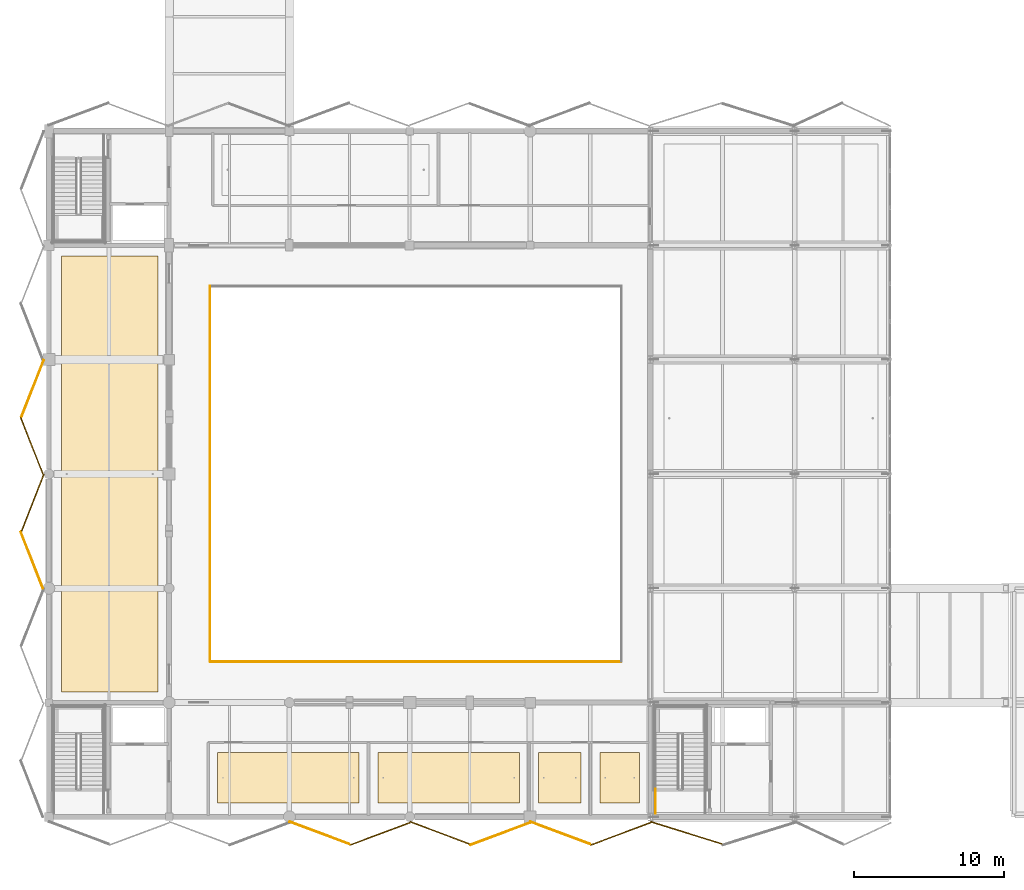
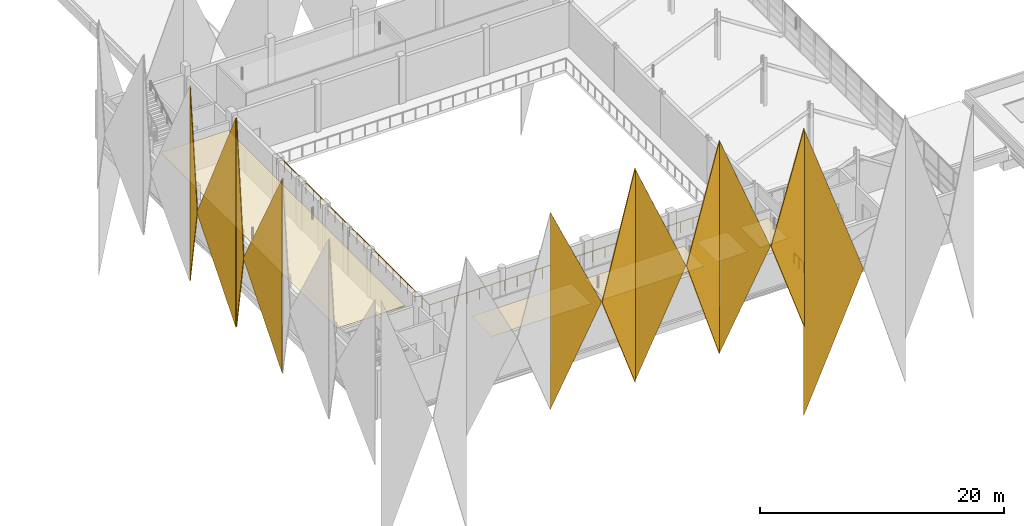
# One storey, part 98 of 107: 16 coverings, 3 railings.
"""IFC4 building model written with IfcOpenShell, lengths in metres."""

from ifc_helpers import new_model, si_unit, direction, frame, origin, origin_2d, place, context, subcontext, project, spatial, polyline, circle, outline, extrude, material, layer, layer_set, type_object, element, save


model = new_model("IFC4")

# Units and contexts
model_context = context("Model", 3, precision=1e-05, world=origin(), true_north=direction((0.0, 1.0)))
body_context = subcontext(model_context, "Body", "Model", "MODEL_VIEW")
ifc_project = project(units=[si_unit("LENGTHUNIT", "METRE"), si_unit("AREAUNIT", "SQUARE_METRE"), si_unit("VOLUMEUNIT", "CUBIC_METRE"), si_unit("PLANEANGLEUNIT", "RADIAN"), si_unit("MASSUNIT", "GRAM", prefix="KILO")], contexts=[model_context])

# Site, building, storey
site_placement = place(None, origin())
site = spatial("IfcSite", under=ifc_project, at=site_placement, CompositionType="ELEMENT")
building_placement = place(site_placement, origin())
building = spatial("IfcBuilding", under=site, at=building_placement, Name="Khelvaren Railside Concert Hall", CompositionType="ELEMENT")
storey_placement = place(building_placement, frame((0.0, 0.0, 15.0)))
storey = spatial("IfcBuildingStorey", under=building, at=storey_placement, Name="L03", CompositionType="ELEMENT", Elevation=15.0)

# Coverings
ifc_material_1 = material(Name="Precast architectural concrete C45/55", Category="concrete")
ifc_layer_1 = layer(ifc_material_1, 0.06005859375)
ifc_layer_set_1 = layer_set([ifc_layer_1], Name="Precast architectural concrete C45/55")
covering_type_1 = type_object("IfcCoveringType", Name="CLD31", PredefinedType="CLADDING", material=ifc_layer_set_1)
covering_1_placement = place(storey_placement, frame((16.0, -0.35498046875, 15.025634765625), z_axis=(-0.35012077399, -0.936704565816, 0.0), x_axis=(0.0, 0.0, -1.0)))
element("IfcCovering", 1, at=covering_1_placement, inside=storey, type_object=covering_type_1, Name="Main Hall Cut-Crystal Flank Facet S-3W", PredefinedType="CLADDING", context=body_context, shape_type="SweptSolid", body=[
    extrude(outline(polyline([(0.0, 0.0), (19.82568359375, 0.0), (9.516357421875, 4.27028985015747), (0.0, 0.0)])), origin(), (0.0, 0.0, -1.0), 0.06005859375),
])
covering_2_placement = place(storey_placement, frame((32.0, -0.35498046875, 16.638427734375), z_axis=(-0.35012077399, 0.936704565816, 0.0), x_axis=(0.0, 0.0, -1.0)))
element("IfcCovering", 2, at=covering_2_placement, inside=storey, type_object=covering_type_1, Name="Main Hall Cut-Crystal Flank Facet S-4E", PredefinedType="CLADDING", context=body_context, shape_type="SweptSolid", body=[
    extrude(outline(polyline([(0.0, 0.0), (21.4384765625, 0.0), (10.29052734375, 4.270289850157471), (0.0, 0.0)])), origin(), (0.0, 0.0, -1.0), 0.06005859375),
])
covering_3_placement = place(storey_placement, frame((32.0, -0.35498046875, 16.638427734375), z_axis=(-0.35012077399, -0.936704565816, 0.0), x_axis=(0.0, 0.0, -1.0)))
element("IfcCovering", 3, at=covering_3_placement, inside=storey, type_object=covering_type_1, Name="Main Hall Cut-Crystal Flank Facet S-5W", PredefinedType="CLADDING", context=body_context, shape_type="SweptSolid", body=[
    extrude(outline(polyline([(0.0, 0.0), (21.4384765625, 0.0), (11.129150390625, 4.270289850157471), (0.0, 0.0)])), origin(), (0.0, 0.0, -1.0), 0.06005859375),
])
covering_4_placement = place(storey_placement, frame((-0.35498046875, 15.199951171875, 14.707763671875), z_axis=(0.930564616009, 0.366127703722, 0.0), x_axis=(0.0, 0.0, -1.0)))
element("IfcCovering", 4, at=covering_4_placement, inside=storey, type_object=covering_type_1, Name="Main Hall Cut-Crystal West Flank Facet 3S", PredefinedType="CLADDING", context=body_context, shape_type="SweptSolid", body=[
    extrude(outline(polyline([(0.0, 0.0), (19.5078125, 0.0), (9.75390625, 4.083594801212786), (0.0, 0.0)])), origin(), (0.0, 0.0, -1.0), 0.06005859375),
])
covering_5_placement = place(storey_placement, frame((-0.35498046875, 30.39990234375, 14.707763671875), z_axis=(-0.930556601095, 0.366148074088, 0.0), x_axis=(0.0, 0.0, -1.0)))
element("IfcCovering", 5, at=covering_5_placement, inside=storey, type_object=covering_type_1, Name="Main Hall Cut-Crystal West Flank Facet 4N", PredefinedType="CLADDING", context=body_context, shape_type="SweptSolid", body=[
    extrude(outline(polyline([(0.0, 0.0), (19.5078125, 0.0), (9.75390625, 4.083367613564187), (0.0, 0.0)])), origin(), (0.0, 0.0, -1.0), 0.06005859375),
])
ifc_material_2 = material(Name="Board-marked precast concrete C45/55", Category="concrete")
ifc_layer_2 = layer(ifc_material_2, 0.070068359375)
ifc_layer_set_2 = layer_set([ifc_layer_2], Name="Board-marked precast concrete C45/55")
covering_type_2 = type_object("IfcCoveringType", Name="CLD68", PredefinedType="CLADDING", material=ifc_layer_set_2)
covering_6_placement = place(storey_placement, frame((24.0, -0.35498046875, 16.638427734375), z_axis=(-0.35012077399, 0.936704565816, 0.0), x_axis=(0.0, 0.0, -1.0)))
element("IfcCovering", 6, at=covering_6_placement, inside=storey, type_object=covering_type_2, Name="Main Hall Cut-Crystal Flank Facet S-3E", PredefinedType="CLADDING", context=body_context, shape_type="SweptSolid", body=[
    extrude(outline(polyline([(0.0, 0.0), (21.4384765625, 0.0), (11.129150390625, 4.270289850157471), (0.0, 0.0)])), origin(), (0.0, 0.0, -1.0), 0.070068359375),
])
covering_7_placement = place(storey_placement, frame((24.0, -0.35498046875, 16.638427734375), z_axis=(-0.35012077399, -0.936704565816, 0.0), x_axis=(0.0, 0.0, -1.0)))
element("IfcCovering", 7, at=covering_7_placement, inside=storey, type_object=covering_type_2, Name="Main Hall Cut-Crystal Flank Facet S-4W", PredefinedType="CLADDING", context=body_context, shape_type="SweptSolid", body=[
    extrude(outline(polyline([(0.0, 0.0), (21.4384765625, 0.0), (10.29052734375, 4.270289850157471), (0.0, 0.0)])), origin(), (0.0, 0.0, -1.0), 0.070068359375),
])
covering_8_placement = place(storey_placement, frame((40.0, -0.35498046875, 15.025634765625), z_axis=(-0.35012077399, 0.936704565816, 0.0), x_axis=(0.0, 0.0, -1.0)))
element("IfcCovering", 8, at=covering_8_placement, inside=storey, type_object=covering_type_2, Name="Main Hall Cut-Crystal Flank Facet S-5E", PredefinedType="CLADDING", context=body_context, shape_type="SweptSolid", body=[
    extrude(outline(polyline([(0.0, 0.0), (19.82568359375, 0.0), (9.516357421875, 4.27028985015747), (0.0, 0.0)])), origin(), (0.0, 0.0, -1.0), 0.070068359375),
])
covering_9_placement = place(storey_placement, frame((40.0, -0.35498046875, 15.025634765625), z_axis=(-0.297387287433, -0.954756933085, 0.0), x_axis=(0.0, 0.0, -1.0)))
element("IfcCovering", 9, at=covering_9_placement, inside=storey, type_object=covering_type_2, Name="Main Hall Cut-Crystal Flank Facet S-6W", PredefinedType="CLADDING", context=body_context, shape_type="SweptSolid", body=[
    extrude(outline(polyline([(0.0, 0.0), (28.82568359375, 0.0), (14.8427734375, 5.027508742582364), (0.0, 0.0)])), origin(), (0.0, 0.0, -1.0), 0.070068359375),
])
for number, where, z_axis, x_axis, name in (
    (10, (-0.35498046875, 22.800048828125, 16.16162109375), (-0.930564616009, 0.366127703722, 0.0), (0.0, 0.0, -1.0), "Main Hall Cut-Crystal West Flank Facet 3N"),
    (11, (-0.35498046875, 22.800048828125, 16.16162109375), (0.930564616009, 0.366127703722, 0.0), (0.0, 0.0, -1.0), "Main Hall Cut-Crystal West Flank Facet 4S"),
):
    element("IfcCovering", number, at=place(storey_placement, frame(where, z_axis=z_axis, x_axis=x_axis)), inside=storey, type_object=covering_type_2, Name=name, PredefinedType="CLADDING", context=body_context, shape_type="SweptSolid", body=[
        extrude(outline(polyline([(0.0, 0.0), (20.961669921875, 0.0), (11.207763671875, 4.0835948012127865), (0.0, 0.0)])), origin(), (0.0, 0.0, -1.0), 0.070068359375),
    ])
ifc_material_3 = material(Name="Mineral-wool acoustic baffle ceiling", Category="gypsum")
ifc_layer_3 = layer(ifc_material_3, 0.0400390625)
ifc_layer_set_3 = layer_set([ifc_layer_3], Name="Mineral-wool acoustic baffle ceiling")
covering_type_3 = type_object("IfcCoveringType", Name="CLG20", PredefinedType="CEILING", material=ifc_layer_set_3)
covering_10_placement = place(storey_placement, frame((0.0, 0.0, 3.409912109375)))
element("IfcCovering", 12, at=covering_10_placement, inside=storey, type_object=covering_type_3, Name="Suspended Acoustic Ceiling West Reflector Canopy Catwalk Gallery", PredefinedType="CEILING", context=body_context, shape_type="SweptSolid", body=[
    extrude(outline(polyline([(0.85009765625, 8.300048828125), (7.25, 8.300048828125), (7.25, 37.300048828125), (0.85009765625, 37.300048828125), (0.85009765625, 8.300048828125)])), origin(), (0.0, 0.0, 1.0), 0.0400390625),
])
covering_11_placement = place(storey_placement, frame((0.0, 0.0, 3.409912109375)))
element("IfcCovering", 13, at=covering_11_placement, inside=storey, type_object=covering_type_3, Name="Suspended Acoustic Ceiling Followspot and Rigging Gallery L03", PredefinedType="CEILING", context=body_context, shape_type="SweptSolid", body=[
    extrude(outline(polyline([(21.89990234375, 0.929931640625), (31.31005859375, 0.929931640625), (31.31005859375, 4.27001953125), (21.89990234375, 4.27001953125), (21.89990234375, 0.929931640625)])), origin(), (0.0, 0.0, 1.0), 0.0400390625),
])
covering_12_placement = place(storey_placement, frame((0.0, 0.0, 3.409912109375)))
element("IfcCovering", 14, at=covering_12_placement, inside=storey, type_object=covering_type_3, Name="Suspended Acoustic Ceiling V1 L03 Accessible WC", PredefinedType="CEILING", context=body_context, shape_type="SweptSolid", body=[
    extrude(outline(polyline([(36.653076171875, 0.929931640625), (39.2900390625, 0.929931640625), (39.2900390625, 4.27001953125), (36.653076171875, 4.27001953125), (36.653076171875, 0.929931640625)])), origin(), (0.0, 0.0, 1.0), 0.0400390625),
])
ifc_material_4 = material(Name="Micro-perforated timber acoustic ceiling", Category="wood")
ifc_layer_4 = layer(ifc_material_4, 0.030029296875)
ifc_layer_set_4 = layer_set([ifc_layer_4], Name="Micro-perforated timber acoustic ceiling")
covering_type_4 = type_object("IfcCoveringType", Name="CLG77", PredefinedType="CEILING", material=ifc_layer_set_4)
covering_13_placement = place(storey_placement, frame((0.0, 0.0, 3.419921875)))
element("IfcCovering", 15, at=covering_13_placement, inside=storey, type_object=covering_type_4, Name="Suspended Acoustic Ceiling Reflector Canopy Motor Control Room", PredefinedType="CEILING", context=body_context, shape_type="SweptSolid", body=[
    extrude(outline(polyline([(11.22998046875, 0.929931640625), (20.639892578125, 0.929931640625), (20.639892578125, 4.27001953125), (11.22998046875, 4.27001953125), (11.22998046875, 0.929931640625)])), origin(), (0.0, 0.0, 1.0), 0.030029296875),
])
covering_14_placement = place(storey_placement, frame((0.0, 0.0, 3.419921875)))
element("IfcCovering", 16, at=covering_14_placement, inside=storey, type_object=covering_type_4, Name="Suspended Acoustic Ceiling V1 L03 Staff WC", PredefinedType="CEILING", context=body_context, shape_type="SweptSolid", body=[
    extrude(outline(polyline([(32.570068359375, 0.929931640625), (35.39306640625, 0.929931640625), (35.39306640625, 4.27001953125), (32.570068359375, 4.27001953125), (32.570068359375, 0.929931640625)])), origin(), (0.0, 0.0, 1.0), 0.030029296875),
])

# Railings
ifc_material_5 = material(Name="Painted architectural steel", Category="steel")
railing_type_1 = type_object("IfcRailingType", Name="GRD86", PredefinedType="GUARDRAIL", material=ifc_material_5)
railing_1_placement = place(storey_placement, frame((40.35009765625, 0.239990234375, 0.0)))
element("IfcRailing", 17, at=railing_1_placement, inside=storey, type_object=railing_type_1, Name="L03 ST-02 stair guard 9", PredefinedType="GUARDRAIL", context=body_context, shape_type="SweptSolid", body=[
    extrude(circle(Radius=0.02392578125, at=origin_2d()), frame((0.0, 0.0, 1.076171875), z_axis=(0.0, 1.0, 0.0), x_axis=(-1.0, 0.0, 0.0)), (0.0, 0.0, 1.0), 1.60009765625),
    extrude(circle(Radius=0.02099609375, at=origin_2d()), origin(), (0.0, 0.0, 1.0), 1.052001953125),
    extrude(circle(Radius=0.02099609375, at=origin_2d()), frame((0.0, 0.800048828125, 0.0)), (0.0, 0.0, 1.0), 1.052001953125),
    extrude(circle(Radius=0.02099609375, at=origin_2d()), frame((0.0, 1.60009765625, 0.0)), (0.0, 0.0, 1.0), 1.052001953125),
])
ifc_material_6 = material(Name="Acoustic bronze and laminated glass guardrail", Category="glass")
railing_type_2 = type_object("IfcRailingType", Name="GRD91", PredefinedType="GUARDRAIL", material=ifc_material_6)
railing_2_placement = place(storey_placement, frame((10.719970703125, 10.320068359375, 0.0)))
element("IfcRailing", 18, at=railing_2_placement, inside=storey, type_object=railing_type_2, Name="V1 L03 Acoustic Bowl Edge Guardrail S", PredefinedType="GUARDRAIL", context=body_context, shape_type="SweptSolid", body=[
    extrude(circle(Radius=0.02392578125, at=origin_2d()), frame((0.0, 0.0, 1.076171875), z_axis=(1.0, 0.0, 0.0), x_axis=(0.0, 1.0, 0.0)), (0.0, 0.0, 1.0), 27.360107421875),
    extrude(circle(Radius=0.02099609375, at=origin_2d()), origin(), (0.0, 0.0, 1.0), 1.052001953125),
    extrude(circle(Radius=0.02099609375, at=origin_2d()), frame((1.189453125, 0.0, 0.0)), (0.0, 0.0, 1.0), 1.052001953125),
    extrude(circle(Radius=0.02099609375, at=origin_2d()), frame((2.379150390625, 0.0, 0.0)), (0.0, 0.0, 1.0), 1.052001953125),
    extrude(circle(Radius=0.02099609375, at=origin_2d()), frame((3.568603515625, 0.0, 0.0)), (0.0, 0.0, 1.0), 1.052001953125),
    extrude(circle(Radius=0.02099609375, at=origin_2d()), frame((4.75830078125, 0.0, 0.0)), (0.0, 0.0, 1.0), 1.052001953125),
    extrude(circle(Radius=0.02099609375, at=origin_2d()), frame((5.94775390625, 0.0, 0.0)), (0.0, 0.0, 1.0), 1.052001953125),
    extrude(circle(Radius=0.02099609375, at=origin_2d()), frame((7.137451171875, 0.0, 0.0)), (0.0, 0.0, 1.0), 1.052001953125),
    extrude(circle(Radius=0.02099609375, at=origin_2d()), frame((8.326904296875, 0.0, 0.0)), (0.0, 0.0, 1.0), 1.052001953125),
    extrude(circle(Radius=0.02099609375, at=origin_2d()), frame((9.5166015625, 0.0, 0.0)), (0.0, 0.0, 1.0), 1.052001953125),
    extrude(circle(Radius=0.02099609375, at=origin_2d()), frame((10.7060546875, 0.0, 0.0)), (0.0, 0.0, 1.0), 1.052001953125),
    extrude(circle(Radius=0.02099609375, at=origin_2d()), frame((11.895751953125, 0.0, 0.0)), (0.0, 0.0, 1.0), 1.052001953125),
    extrude(circle(Radius=0.02099609375, at=origin_2d()), frame((13.085205078125, 0.0, 0.0)), (0.0, 0.0, 1.0), 1.052001953125),
    extrude(circle(Radius=0.02099609375, at=origin_2d()), frame((14.27490234375, 0.0, 0.0)), (0.0, 0.0, 1.0), 1.052001953125),
    extrude(circle(Radius=0.02099609375, at=origin_2d()), frame((15.46435546875, 0.0, 0.0)), (0.0, 0.0, 1.0), 1.052001953125),
    extrude(circle(Radius=0.02099609375, at=origin_2d()), frame((16.654052734375, 0.0, 0.0)), (0.0, 0.0, 1.0), 1.052001953125),
    extrude(circle(Radius=0.02099609375, at=origin_2d()), frame((17.843505859375, 0.0, 0.0)), (0.0, 0.0, 1.0), 1.052001953125),
    extrude(circle(Radius=0.02099609375, at=origin_2d()), frame((19.033203125, 0.0, 0.0)), (0.0, 0.0, 1.0), 1.052001953125),
    extrude(circle(Radius=0.02099609375, at=origin_2d()), frame((20.22265625, 0.0, 0.0)), (0.0, 0.0, 1.0), 1.052001953125),
    extrude(circle(Radius=0.02099609375, at=origin_2d()), frame((21.412353515625, 0.0, 0.0)), (0.0, 0.0, 1.0), 1.052001953125),
    extrude(circle(Radius=0.02099609375, at=origin_2d()), frame((22.601806640625, 0.0, 0.0)), (0.0, 0.0, 1.0), 1.052001953125),
    extrude(circle(Radius=0.02099609375, at=origin_2d()), frame((23.79150390625, 0.0, 0.0)), (0.0, 0.0, 1.0), 1.052001953125),
    extrude(circle(Radius=0.02099609375, at=origin_2d()), frame((24.98095703125, 0.0, 0.0)), (0.0, 0.0, 1.0), 1.052001953125),
    extrude(circle(Radius=0.02099609375, at=origin_2d()), frame((26.170654296875, 0.0, 0.0)), (0.0, 0.0, 1.0), 1.052001953125),
    extrude(circle(Radius=0.02099609375, at=origin_2d()), frame((27.360107421875, 0.0, 0.0)), (0.0, 0.0, 1.0), 1.052001953125),
])
railing_3_placement = place(storey_placement, frame((10.719970703125, 35.280029296875, 0.0)))
element("IfcRailing", 19, at=railing_3_placement, inside=storey, type_object=railing_type_2, Name="V1 L03 Acoustic Bowl Edge Guardrail W", PredefinedType="GUARDRAIL", context=body_context, shape_type="SweptSolid", body=[
    extrude(circle(Radius=0.02392578125, at=origin_2d()), frame((0.0, 0.0, 1.076171875), z_axis=(0.0, -1.0, 0.0), x_axis=(1.0, 0.0, 0.0)), (0.0, 0.0, 1.0), 24.9599609375),
    extrude(circle(Radius=0.02099609375, at=origin_2d()), origin(), (0.0, 0.0, 1.0), 1.052001953125),
    extrude(circle(Radius=0.02099609375, at=origin_2d()), frame((0.0, -1.1884765625, 0.0)), (0.0, 0.0, 1.0), 1.052001953125),
    extrude(circle(Radius=0.02099609375, at=origin_2d()), frame((0.0, -2.377197265625, 0.0)), (0.0, 0.0, 1.0), 1.052001953125),
    extrude(circle(Radius=0.02099609375, at=origin_2d()), frame((0.0, -3.565673828125, 0.0)), (0.0, 0.0, 1.0), 1.052001953125),
    extrude(circle(Radius=0.02099609375, at=origin_2d()), frame((0.0, -4.75439453125, 0.0)), (0.0, 0.0, 1.0), 1.052001953125),
    extrude(circle(Radius=0.02099609375, at=origin_2d()), frame((0.0, -5.94287109375, 0.0)), (0.0, 0.0, 1.0), 1.052001953125),
    extrude(circle(Radius=0.02099609375, at=origin_2d()), frame((0.0, -7.13134765625, 0.0)), (0.0, 0.0, 1.0), 1.052001953125),
    extrude(circle(Radius=0.02099609375, at=origin_2d()), frame((0.0, -8.320068359375, 0.0)), (0.0, 0.0, 1.0), 1.052001953125),
    extrude(circle(Radius=0.02099609375, at=origin_2d()), frame((0.0, -9.508544921875, 0.0)), (0.0, 0.0, 1.0), 1.052001953125),
    extrude(circle(Radius=0.02099609375, at=origin_2d()), frame((0.0, -10.697021484375, 0.0)), (0.0, 0.0, 1.0), 1.052001953125),
    extrude(circle(Radius=0.02099609375, at=origin_2d()), frame((0.0, -11.8857421875, 0.0)), (0.0, 0.0, 1.0), 1.052001953125),
    extrude(circle(Radius=0.02099609375, at=origin_2d()), frame((0.0, -13.07421875, 0.0)), (0.0, 0.0, 1.0), 1.052001953125),
    extrude(circle(Radius=0.02099609375, at=origin_2d()), frame((0.0, -14.262939453125, 0.0)), (0.0, 0.0, 1.0), 1.052001953125),
    extrude(circle(Radius=0.02099609375, at=origin_2d()), frame((0.0, -15.451416015625, 0.0)), (0.0, 0.0, 1.0), 1.052001953125),
    extrude(circle(Radius=0.02099609375, at=origin_2d()), frame((0.0, -16.639892578125, 0.0)), (0.0, 0.0, 1.0), 1.052001953125),
    extrude(circle(Radius=0.02099609375, at=origin_2d()), frame((0.0, -17.82861328125, 0.0)), (0.0, 0.0, 1.0), 1.052001953125),
    extrude(circle(Radius=0.02099609375, at=origin_2d()), frame((0.0, -19.01708984375, 0.0)), (0.0, 0.0, 1.0), 1.052001953125),
    extrude(circle(Radius=0.02099609375, at=origin_2d()), frame((0.0, -20.20556640625, 0.0)), (0.0, 0.0, 1.0), 1.052001953125),
    extrude(circle(Radius=0.02099609375, at=origin_2d()), frame((0.0, -21.394287109375, 0.0)), (0.0, 0.0, 1.0), 1.052001953125),
    extrude(circle(Radius=0.02099609375, at=origin_2d()), frame((0.0, -22.582763671875, 0.0)), (0.0, 0.0, 1.0), 1.052001953125),
    extrude(circle(Radius=0.02099609375, at=origin_2d()), frame((0.0, -23.771484375, 0.0)), (0.0, 0.0, 1.0), 1.052001953125),
    extrude(circle(Radius=0.02099609375, at=origin_2d()), frame((0.0, -24.9599609375, 0.0)), (0.0, 0.0, 1.0), 1.052001953125),
])

save(model, "model.ifc")
